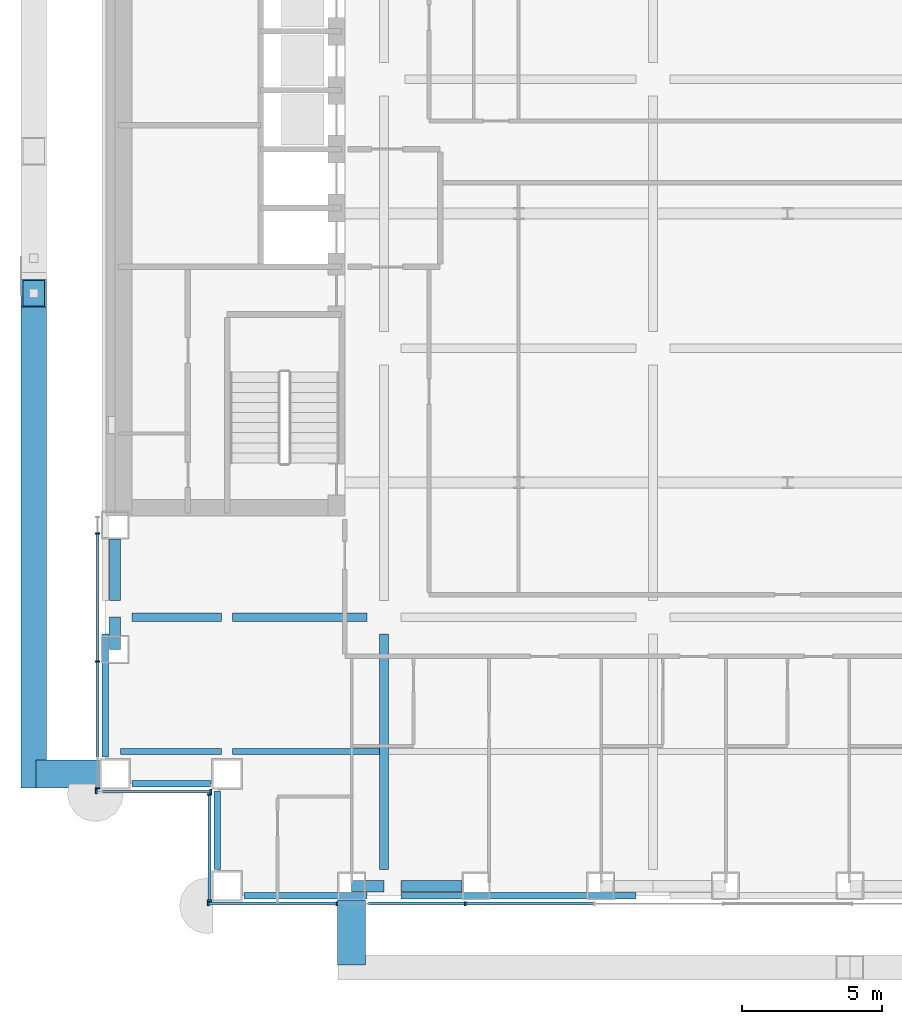
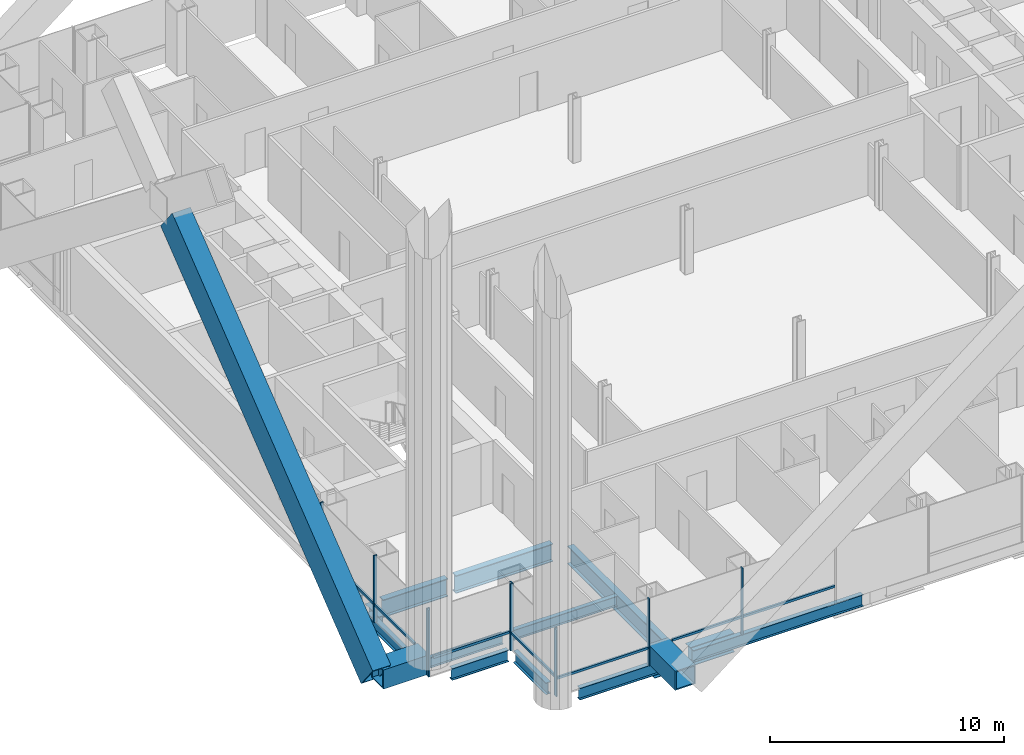
# One storey, part 2 of 28: 18 members, 16 beams, 4 elements without a shape of their own.
"""IFC4 building model written with IfcOpenShell, lengths in metres."""

from ifc_helpers import new_model, si_unit, direction, frame, origin, origin_2d, place, context, subcontext, project, spatial, rectangle, hollow_rectangle, i_section, extrude, material, material_profile, profile_set, type_object, element, aggregate, save


model = new_model("IFC4")

# Units and contexts
model_context = context("Model", 3, precision=1e-05, world=origin(), true_north=direction((0.0, 1.0)))
body_context = subcontext(model_context, "Body", "Model", "MODEL_VIEW")
ifc_project = project(units=[si_unit("LENGTHUNIT", "METRE"), si_unit("AREAUNIT", "SQUARE_METRE"), si_unit("VOLUMEUNIT", "CUBIC_METRE"), si_unit("PLANEANGLEUNIT", "RADIAN"), si_unit("MASSUNIT", "GRAM", prefix="KILO")], contexts=[model_context])

# Site, building, storey
site_placement = place(None, origin())
site = spatial("IfcSite", under=ifc_project, at=site_placement, CompositionType="ELEMENT")
building_placement = place(site_placement, origin())
building = spatial("IfcBuilding", under=site, at=building_placement, Name="Cobrizo Arcos Hotel Tower", CompositionType="ELEMENT")
storey_placement = place(building_placement, frame((0.0, 0.0, 39.0)))
storey = spatial("IfcBuildingStorey", under=building, at=storey_placement, Name="L07", CompositionType="ELEMENT", Elevation=39.0)

# Beams
ifc_material_1 = material(Name="Steel ASTM A572 Grade 50", Category="steel")
ifc_material_profile_1 = material_profile(ifc_material_1, hollow_rectangle(XDim=1.0, YDim=1.0, WallThickness=0.06005859375, at=origin_2d()), Name="BOX 1000X1000X60")
ifc_profile_set_1 = profile_set([ifc_material_profile_1], Name="Steel ASTM A572 Grade 50")
beam_type_1 = type_object("IfcBeamType", Name="BOX 1000X1000X60 brace connector strut", PredefinedType="BEAM", material=ifc_profile_set_1)
beam_1_placement = place(storey_placement, frame((-15.5556640625, -24.489990234375, 0.5), z_axis=(0.0, -1.0, 0.0), x_axis=(1.0, 0.0, 0.0)))
element("IfcBeam", 1, at=beam_1_placement, inside=storey, type_object=beam_type_1, Name="Perimeter brace stub BS1, zone Z1, south face, offset -15.56 m, L07", PredefinedType="BEAM", context=body_context, shape_type="SweptSolid", body=[
    extrude(hollow_rectangle(XDim=1.0, YDim=1.0, WallThickness=0.06005859375, at=origin_2d()), origin(), (0.0, 0.0, 1.0), 2.330078125),
])
beam_2_placement = place(storey_placement, frame((-24.5400390625, -20.0, 0.5), z_axis=(-1.0, 0.0, 0.0), x_axis=(0.0, -1.0, 0.0)))
element("IfcBeam", 2, at=beam_2_placement, inside=storey, type_object=beam_type_1, Name="Perimeter brace stub BS1, zone Z1, west face, offset -20.00 m, L07", PredefinedType="BEAM", context=body_context, shape_type="SweptSolid", body=[
    extrude(hollow_rectangle(XDim=1.0, YDim=1.0, WallThickness=0.06005859375, at=origin_2d()), origin(), (0.0, 0.0, 1.0), 2.280029296875),
])

# Member
ifc_material_profile_2 = material_profile(ifc_material_1, hollow_rectangle(XDim=0.89990234375, YDim=1.60009765625, WallThickness=0.070068359375, at=origin_2d()), Name="BOX 900X1600X70")
ifc_profile_set_2 = profile_set([ifc_material_profile_2], Name="Steel ASTM A572 Grade 50")
member_type_1 = type_object("IfcMemberType", Name="BOX 900X1600X70 perimeter brace", PredefinedType="BRACE", material=ifc_profile_set_2)
member_1_placement = place(storey_placement, frame((-26.89990234375, -20.0, 0.5), z_axis=(0.0, 0.785633461499, 0.618692220876), x_axis=(-1.0, 0.0, 0.0)))
element("IfcMember", 3, at=member_1_placement, inside=storey, type_object=member_type_1, Name="Perimeter brace PBR1, zone Z1, west face, no. 01", PredefinedType="BRACE", context=body_context, shape_type="SweptSolid", body=[
    extrude(hollow_rectangle(XDim=0.89990234375, YDim=1.60009765625, WallThickness=0.070068359375, at=origin_2d()), origin(), (0.0, 0.0, 1.0), 21.835693359375),
])

# Curtain wall, members
ifc_material_2 = material(Name="Aluminium 6063-T6 anodised bronze", Category="aluminium")
curtain_wall_type = type_object("IfcCurtainWallType", Name="CW-A guest facade", PredefinedType="NOTDEFINED", material=ifc_material_2)
curtain_wall_1_placement = place(storey_placement, origin())
curtain_wall_1 = element("IfcCurtainWall", 4, at=curtain_wall_1_placement, inside=storey, type_object=curtain_wall_type, Name="CW-A L07 S face", PredefinedType="NOTDEFINED")
ifc_material_profile_3 = material_profile(ifc_material_2, rectangle(XDim=0.14990234375, YDim=0.06005859375, at=origin_2d()), Name="CW-A mullion 150x60")
ifc_profile_set_3 = profile_set([ifc_material_profile_3], Name="Aluminium 6063-T6 anodised bronze")
member_type_2 = type_object("IfcMemberType", Name="CW-A mullion 150x60", PredefinedType="MULLION", material=ifc_profile_set_3)
member_2_placement = place(storey_placement, frame((-20.669921875, -24.625, 0.0), z_axis=(0.0, 0.0, 1.0), x_axis=(0.0, -1.0, 0.0)))
member_2 = element("IfcMember", 5, at=member_2_placement, type_object=member_type_2, Name="CW-A mullion 1", PredefinedType="MULLION", context=body_context, shape_type="SweptSolid", body=[
    extrude(rectangle(XDim=0.14990234375, YDim=0.06005859375, at=origin_2d()), origin(), (0.0, 0.0, 1.0), 3.5),
])
member_3_placement = place(storey_placement, frame((-16.10009765625, -24.625, 0.0), z_axis=(0.0, 0.0, 1.0), x_axis=(0.0, -1.0, 0.0)))
member_3 = element("IfcMember", 6, at=member_3_placement, type_object=member_type_2, Name="CW-A mullion 2", PredefinedType="MULLION", context=body_context, shape_type="SweptSolid", body=[
    extrude(rectangle(XDim=0.14990234375, YDim=0.06005859375, at=origin_2d()), origin(), (0.0, 0.0, 1.0), 3.5),
])
member_4_placement = place(storey_placement, frame((-11.5, -24.625, 0.0), z_axis=(0.0, 0.0, 1.0), x_axis=(0.0, -1.0, 0.0)))
member_4 = element("IfcMember", 7, at=member_4_placement, type_object=member_type_2, Name="CW-A mullion 3", PredefinedType="MULLION", context=body_context, shape_type="SweptSolid", body=[
    extrude(rectangle(XDim=0.14990234375, YDim=0.06005859375, at=origin_2d()), origin(), (0.0, 0.0, 1.0), 3.5),
])

curtain_wall_2_placement = place(storey_placement, origin())
curtain_wall_2 = element("IfcCurtainWall", 8, at=curtain_wall_2_placement, inside=storey, type_object=curtain_wall_type, Name="CW-A L07 W face", PredefinedType="NOTDEFINED")
member_5_placement = place(storey_placement, frame((-24.625, -11.416748046875, 0.0), z_axis=(0.0, 0.0, 1.0), x_axis=(-1.0, 0.0, 0.0)))
member_5 = element("IfcMember", 9, at=member_5_placement, type_object=member_type_2, Name="CW-A mullion 2", PredefinedType="MULLION", context=body_context, shape_type="SweptSolid", body=[
    extrude(rectangle(XDim=0.14990234375, YDim=0.06005859375, at=origin_2d()), origin(), (0.0, 0.0, 1.0), 3.5),
])
member_6_placement = place(storey_placement, frame((-24.625, -15.9833984375, 0.0), z_axis=(0.0, 0.0, 1.0), x_axis=(-1.0, 0.0, 0.0)))
member_6 = element("IfcMember", 10, at=member_6_placement, type_object=member_type_2, Name="CW-A mullion 3", PredefinedType="MULLION", context=body_context, shape_type="SweptSolid", body=[
    extrude(rectangle(XDim=0.14990234375, YDim=0.06005859375, at=origin_2d()), origin(), (0.0, 0.0, 1.0), 3.5),
])
member_7_placement = place(storey_placement, frame((-24.625, -20.52001953125, 0.0), z_axis=(0.0, 0.0, 1.0), x_axis=(-1.0, 0.0, 0.0)))
member_7 = element("IfcMember", 11, at=member_7_placement, type_object=member_type_2, Name="CW-A mullion 4", PredefinedType="MULLION", context=body_context, shape_type="SweptSolid", body=[
    extrude(rectangle(XDim=0.14990234375, YDim=0.06005859375, at=origin_2d()), origin(), (0.0, 0.0, 1.0), 3.5),
])

curtain_wall_3_placement = place(storey_placement, origin())
curtain_wall_3 = element("IfcCurtainWall", 12, at=curtain_wall_3_placement, inside=storey, type_object=curtain_wall_type, Name="CW-A L07 S face", PredefinedType="NOTDEFINED")
member_8_placement = place(storey_placement, frame((-24.669921875, -20.625, 0.0), z_axis=(0.0, 0.0, 1.0), x_axis=(0.0, -1.0, 0.0)))
member_8 = element("IfcMember", 13, at=member_8_placement, type_object=member_type_2, Name="CW-A mullion 1", PredefinedType="MULLION", context=body_context, shape_type="SweptSolid", body=[
    extrude(rectangle(XDim=0.14990234375, YDim=0.06005859375, at=origin_2d()), origin(), (0.0, 0.0, 1.0), 3.5),
])
member_9_placement = place(storey_placement, frame((-20.580078125, -20.625, 0.0), z_axis=(0.0, 0.0, 1.0), x_axis=(0.0, -1.0, 0.0)))
member_9 = element("IfcMember", 14, at=member_9_placement, type_object=member_type_2, Name="CW-A mullion 2", PredefinedType="MULLION", context=body_context, shape_type="SweptSolid", body=[
    extrude(rectangle(XDim=0.14990234375, YDim=0.06005859375, at=origin_2d()), origin(), (0.0, 0.0, 1.0), 3.5),
])

curtain_wall_4_placement = place(storey_placement, origin())
curtain_wall_4 = element("IfcCurtainWall", 15, at=curtain_wall_4_placement, inside=storey, type_object=curtain_wall_type, Name="CW-A L07 W face", PredefinedType="NOTDEFINED")
member_10_placement = place(storey_placement, frame((-20.625, -20.72998046875, 0.0), z_axis=(0.0, 0.0, 1.0), x_axis=(-1.0, 0.0, 0.0)))
member_10 = element("IfcMember", 16, at=member_10_placement, type_object=member_type_2, Name="CW-A mullion 1", PredefinedType="MULLION", context=body_context, shape_type="SweptSolid", body=[
    extrude(rectangle(XDim=0.14990234375, YDim=0.06005859375, at=origin_2d()), origin(), (0.0, 0.0, 1.0), 3.5),
])
member_11_placement = place(storey_placement, frame((-20.625, -24.52001953125, 0.0), z_axis=(0.0, 0.0, 1.0), x_axis=(-1.0, 0.0, 0.0)))
member_11 = element("IfcMember", 17, at=member_11_placement, type_object=member_type_2, Name="CW-A mullion 2", PredefinedType="MULLION", context=body_context, shape_type="SweptSolid", body=[
    extrude(rectangle(XDim=0.14990234375, YDim=0.06005859375, at=origin_2d()), origin(), (0.0, 0.0, 1.0), 3.5),
])

# Member
ifc_material_profile_4 = material_profile(ifc_material_2, rectangle(XDim=0.10009765625, YDim=0.1201171875, at=origin_2d()), Name="CW-A transom 120x100")
ifc_profile_set_4 = profile_set([ifc_material_profile_4], Name="Aluminium 6063-T6 anodised bronze")
member_type_3 = type_object("IfcMemberType", Name="CW-A transom 120x100", PredefinedType="USERDEFINED", material=ifc_profile_set_4)
member_12_placement = place(storey_placement, frame((-20.639892578125, -24.625, 0.929931640625), z_axis=(1.0, 0.0, 0.0), x_axis=(0.0, 1.0, 0.0)))
member_12 = element("IfcMember", 18, at=member_12_placement, type_object=member_type_3, Name="CW-A transom 361", ObjectType="TRANSOM", PredefinedType="USERDEFINED", context=body_context, shape_type="SweptSolid", body=[
    extrude(rectangle(XDim=0.10009765625, YDim=0.1201171875, at=origin_2d()), origin(), (0.0, 0.0, 1.0), 4.484375),
])

member_13_placement = place(storey_placement, frame((-14.95556640625, -24.625, 0.929931640625), z_axis=(1.0, 0.0, 0.0), x_axis=(0.0, 1.0, 0.0)))
member_13 = element("IfcMember", 19, at=member_13_placement, type_object=member_type_3, Name="CW-A transom 362", ObjectType="TRANSOM", PredefinedType="USERDEFINED", context=body_context, shape_type="SweptSolid", body=[
    extrude(rectangle(XDim=0.10009765625, YDim=0.1201171875, at=origin_2d()), origin(), (0.0, 0.0, 1.0), 3.425537109375),
])

member_14_placement = place(storey_placement, frame((-11.469970703125, -24.625, 0.929931640625), z_axis=(1.0, 0.0, 0.0), x_axis=(0.0, 1.0, 0.0)))
member_14 = element("IfcMember", 20, at=member_14_placement, type_object=member_type_3, Name="CW-A transom 363", ObjectType="TRANSOM", PredefinedType="USERDEFINED", context=body_context, shape_type="SweptSolid", body=[
    extrude(rectangle(XDim=0.10009765625, YDim=0.1201171875, at=origin_2d()), origin(), (0.0, 0.0, 1.0), 4.5400390625),
])

aggregate(curtain_wall_1, [member_2, member_3, member_4, member_12, member_13, member_14])

member_15_placement = place(storey_placement, frame((-24.625, -11.44677734375, 0.929931640625), z_axis=(0.0, -1.0, 0.0), x_axis=(1.0, 0.0, 0.0)))
member_15 = element("IfcMember", 21, at=member_15_placement, type_object=member_type_3, Name="CW-A transom 395", ObjectType="TRANSOM", PredefinedType="USERDEFINED", context=body_context, shape_type="SweptSolid", body=[
    extrude(rectangle(XDim=0.10009765625, YDim=0.1201171875, at=origin_2d()), origin(), (0.0, 0.0, 1.0), 4.506591796875),
])

member_16_placement = place(storey_placement, frame((-24.625, -16.013427734375, 0.929931640625), z_axis=(0.0, -1.0, 0.0), x_axis=(1.0, 0.0, 0.0)))
member_16 = element("IfcMember", 22, at=member_16_placement, type_object=member_type_3, Name="CW-A transom 396", ObjectType="TRANSOM", PredefinedType="USERDEFINED", context=body_context, shape_type="SweptSolid", body=[
    extrude(rectangle(XDim=0.10009765625, YDim=0.1201171875, at=origin_2d()), origin(), (0.0, 0.0, 1.0), 3.386474609375),
])

aggregate(curtain_wall_2, [member_5, member_6, member_7, member_15, member_16])

member_17_placement = place(storey_placement, frame((-24.43994140625, -20.625, 0.929931640625), z_axis=(1.0, 0.0, 0.0), x_axis=(0.0, 1.0, 0.0)))
member_17 = element("IfcMember", 23, at=member_17_placement, type_object=member_type_3, Name="CW-A transom 397", ObjectType="TRANSOM", PredefinedType="USERDEFINED", context=body_context, shape_type="SweptSolid", body=[
    extrude(rectangle(XDim=0.10009765625, YDim=0.1201171875, at=origin_2d()), origin(), (0.0, 0.0, 1.0), 3.829833984375),
])

aggregate(curtain_wall_3, [member_8, member_9, member_17])

member_18_placement = place(storey_placement, frame((-20.625, -20.760009765625, 0.929931640625), z_axis=(0.0, -1.0, 0.0), x_axis=(1.0, 0.0, 0.0)))
member_18 = element("IfcMember", 24, at=member_18_placement, type_object=member_type_3, Name="CW-A transom 398", ObjectType="TRANSOM", PredefinedType="USERDEFINED", context=body_context, shape_type="SweptSolid", body=[
    extrude(rectangle(XDim=0.10009765625, YDim=0.1201171875, at=origin_2d()), origin(), (0.0, 0.0, 1.0), 3.72998046875),
])

aggregate(curtain_wall_4, [member_10, member_11, member_18])

# Beams
ifc_material_3 = material(Name="Steel ASTM A992 Grade 50", Category="steel")
ifc_material_profile_5 = material_profile(ifc_material_3, i_section(OverallWidth=0.209228515625, OverallDepth=0.533447265625, WebThickness=0.01025390625, FlangeThickness=0.015625, at=origin_2d()), Name="W21X62")
ifc_profile_set_5 = profile_set([ifc_material_profile_5], Name="Steel ASTM A992 Grade 50")
beam_type_2 = type_object("IfcBeamType", Name="W21X62 joist", PredefinedType="JOIST", material=ifc_profile_set_5)
beam_3_placement = place(storey_placement, frame((-23.799560546875, -19.199951171875, -0.416748046875), z_axis=(1.0, 0.0, 0.0), x_axis=(0.0, 1.0, 0.0)))
element("IfcBeam", 25, at=beam_3_placement, inside=storey, type_object=beam_type_2, Name="Floor joist J1, L07, no. 001", PredefinedType="JOIST", context=body_context, shape_type="SweptSolid", body=[
    extrude(i_section(OverallWidth=0.209228515625, OverallDepth=0.533447265625, WebThickness=0.01025390625, FlangeThickness=0.015625, at=origin_2d()), origin(), (0.0, 0.0, 1.0), 3.59912109375),
])
beam_4_placement = place(storey_placement, frame((-19.799560546875, -19.199951171875, -0.416748046875), z_axis=(1.0, 0.0, 0.0), x_axis=(0.0, 1.0, 0.0)))
element("IfcBeam", 26, at=beam_4_placement, inside=storey, type_object=beam_type_2, Name="Floor joist J1, L07, no. 002", PredefinedType="JOIST", context=body_context, shape_type="SweptSolid", body=[
    extrude(i_section(OverallWidth=0.209228515625, OverallDepth=0.533447265625, WebThickness=0.01025390625, FlangeThickness=0.015625, at=origin_2d()), origin(), (0.0, 0.0, 1.0), 5.245849609375),
])
ifc_material_profile_6 = material_profile(ifc_material_3, i_section(OverallWidth=0.23046875, OverallDepth=0.6171875, WebThickness=0.01318359375, FlangeThickness=0.022216796875, at=origin_2d()), Name="W24X94")
ifc_profile_set_6 = profile_set([ifc_material_profile_6], Name="Steel ASTM A992 Grade 50")
beam_type_3 = type_object("IfcBeamType", Name="W24X94 spandrel", PredefinedType="SPANDREL", material=ifc_profile_set_6)
beam_5_placement = place(storey_placement, frame((-24.35009765625, -19.39990234375, -0.45849609375), z_axis=(0.0, 1.0, 0.0), x_axis=(-1.0, 0.0, 0.0)))
element("IfcBeam", 27, at=beam_5_placement, inside=storey, type_object=beam_type_3, Name="Spandrel beam W24X94, L07, no. 001", PredefinedType="SPANDREL", context=body_context, shape_type="SweptSolid", body=[
    extrude(i_section(OverallWidth=0.23046875, OverallDepth=0.6171875, WebThickness=0.01318359375, FlangeThickness=0.022216796875, at=origin_2d()), origin(), (0.0, 0.0, 1.0), 4.39990234375),
])
beam_6_placement = place(storey_placement, frame((-5.39990234375, -24.35009765625, -0.45849609375), z_axis=(-1.0, 0.0, 0.0), x_axis=(0.0, -1.0, 0.0)))
element("IfcBeam", 28, at=beam_6_placement, inside=storey, type_object=beam_type_3, Name="Spandrel beam W24X94, L07, no. 021", PredefinedType="SPANDREL", context=body_context, shape_type="SweptSolid", body=[
    extrude(i_section(OverallWidth=0.23046875, OverallDepth=0.6171875, WebThickness=0.01318359375, FlangeThickness=0.022216796875, at=origin_2d()), origin(), (0.0, 0.0, 1.0), 8.400146484375),
])
beam_7_placement = place(storey_placement, frame((-15.0, -24.35009765625, -0.45849609375), z_axis=(-1.0, 0.0, 0.0), x_axis=(0.0, -1.0, 0.0)))
element("IfcBeam", 29, at=beam_7_placement, inside=storey, type_object=beam_type_3, Name="Spandrel beam W24X94, L07, no. 022", PredefinedType="SPANDREL", context=body_context, shape_type="SweptSolid", body=[
    extrude(i_section(OverallWidth=0.23046875, OverallDepth=0.6171875, WebThickness=0.01318359375, FlangeThickness=0.022216796875, at=origin_2d()), origin(), (0.0, 0.0, 1.0), 4.39990234375),
])
for number, where, z_axis, x_axis, name in (
    (30, (-20.35009765625, -23.39990234375, -0.45849609375), (0.0, 1.0, 0.0), (-1.0, 0.0, 0.0), "Spandrel beam W24X94, L07, no. 023"),
    (31, (-20.60009765625, -20.35009765625, -0.45849609375), (-1.0, 0.0, 0.0), (0.0, -1.0, 0.0), "Spandrel beam W24X94, L07, no. 024"),
):
    element("IfcBeam", number, at=place(storey_placement, frame(where, z_axis=z_axis, x_axis=x_axis)), inside=storey, type_object=beam_type_3, Name=name, PredefinedType="SPANDREL", context=body_context, shape_type="SweptSolid", body=[
        extrude(i_section(OverallWidth=0.23046875, OverallDepth=0.6171875, WebThickness=0.01318359375, FlangeThickness=0.022216796875, at=origin_2d()), origin(), (0.0, 0.0, 1.0), 2.7998046875),
    ])
ifc_material_profile_7 = material_profile(ifc_material_3, i_section(OverallWidth=0.307373046875, OverallDepth=0.927001953125, WebThickness=0.01953125, FlangeThickness=0.031982421875, at=origin_2d()), Name="W36X194")
ifc_profile_set_7 = profile_set([ifc_material_profile_7], Name="Steel ASTM A992 Grade 50")
beam_type_4 = type_object("IfcBeamType", Name="W36X194 podium girder", PredefinedType="BEAM", material=ifc_profile_set_7)
beam_8_placement = place(storey_placement, frame((-23.39990234375, -14.39990234375, -0.613525390625), z_axis=(1.0, 0.0, 0.0), x_axis=(0.0, 1.0, 0.0)))
element("IfcBeam", 32, at=beam_8_placement, inside=storey, type_object=beam_type_4, Name="Podium girder PG1, L07, no. 001", PredefinedType="BEAM", context=body_context, shape_type="SweptSolid", body=[
    extrude(i_section(OverallWidth=0.307373046875, OverallDepth=0.927001953125, WebThickness=0.01953125, FlangeThickness=0.031982421875, at=origin_2d()), origin(), (0.0, 0.0, 1.0), 3.199462890625),
])
beam_9_placement = place(storey_placement, frame((-19.799560546875, -14.39990234375, -0.613525390625), z_axis=(1.0, 0.0, 0.0), x_axis=(0.0, 1.0, 0.0)))
element("IfcBeam", 33, at=beam_9_placement, inside=storey, type_object=beam_type_4, Name="Podium girder PG1, L07, no. 002", PredefinedType="BEAM", context=body_context, shape_type="SweptSolid", body=[
    extrude(i_section(OverallWidth=0.307373046875, OverallDepth=0.927001953125, WebThickness=0.01953125, FlangeThickness=0.031982421875, at=origin_2d()), origin(), (0.0, 0.0, 1.0), 4.799560546875),
])
beam_10_placement = place(storey_placement, frame((-14.39990234375, -23.39990234375, -0.613525390625), z_axis=(0.0, 1.0, 0.0), x_axis=(-1.0, 0.0, 0.0)))
element("IfcBeam", 34, at=beam_10_placement, inside=storey, type_object=beam_type_4, Name="Podium girder PG1, L07, no. 023", PredefinedType="BEAM", context=body_context, shape_type="SweptSolid", body=[
    extrude(i_section(OverallWidth=0.307373046875, OverallDepth=0.927001953125, WebThickness=0.01953125, FlangeThickness=0.031982421875, at=origin_2d()), origin(), (0.0, 0.0, 1.0), 8.39990234375),
])
ifc_material_profile_8 = material_profile(ifc_material_3, i_section(OverallWidth=0.4013671875, OverallDepth=0.990478515625, WebThickness=0.0166015625, FlangeThickness=0.025390625, at=origin_2d()), Name="W40X215")
ifc_profile_set_8 = profile_set([ifc_material_profile_8], Name="Steel ASTM A992 Grade 50")
beam_type_5 = type_object("IfcBeamType", Name="W40X215 transfer girder", PredefinedType="BEAM", material=ifc_profile_set_8)
beam_11_placement = place(storey_placement, frame((-14.39990234375, -24.0, -0.645263671875), z_axis=(-1.0, 0.0, 0.0), x_axis=(0.0, -1.0, 0.0)))
element("IfcBeam", 35, at=beam_11_placement, inside=storey, type_object=beam_type_5, Name="Setback transfer girder TG1, L07, no. 002", PredefinedType="BEAM", context=body_context, shape_type="SweptSolid", body=[
    extrude(i_section(OverallWidth=0.4013671875, OverallDepth=0.990478515625, WebThickness=0.0166015625, FlangeThickness=0.025390625, at=origin_2d()), origin(), (0.0, 0.0, 1.0), 1.156005859375),
])
beam_12_placement = place(storey_placement, frame((-13.800048828125, -24.0, -0.645263671875), z_axis=(1.0, 0.0, 0.0), x_axis=(0.0, 1.0, 0.0)))
element("IfcBeam", 36, at=beam_12_placement, inside=storey, type_object=beam_type_5, Name="Setback transfer girder TG1, L07, no. 004", PredefinedType="BEAM", context=body_context, shape_type="SweptSolid", body=[
    extrude(i_section(OverallWidth=0.4013671875, OverallDepth=0.990478515625, WebThickness=0.0166015625, FlangeThickness=0.025390625, at=origin_2d()), origin(), (0.0, 0.0, 1.0), 2.18896484375),
])
beam_13_placement = place(storey_placement, frame((-24.0, -14.39990234375, -0.645263671875), z_axis=(0.0, -1.0, 0.0), x_axis=(1.0, 0.0, 0.0)))
element("IfcBeam", 37, at=beam_13_placement, inside=storey, type_object=beam_type_5, Name="Setback transfer girder TG1, L07, no. 018", PredefinedType="BEAM", context=body_context, shape_type="SweptSolid", body=[
    extrude(i_section(OverallWidth=0.4013671875, OverallDepth=0.990478515625, WebThickness=0.0166015625, FlangeThickness=0.025390625, at=origin_2d()), origin(), (0.0, 0.0, 1.0), 1.156005859375),
])
beam_14_placement = place(storey_placement, frame((-24.0, -13.800048828125, -0.645263671875), z_axis=(0.0, 1.0, 0.0), x_axis=(-1.0, 0.0, 0.0)))
element("IfcBeam", 38, at=beam_14_placement, inside=storey, type_object=beam_type_5, Name="Setback transfer girder TG1, L07, no. 020", PredefinedType="BEAM", context=body_context, shape_type="SweptSolid", body=[
    extrude(i_section(OverallWidth=0.4013671875, OverallDepth=0.990478515625, WebThickness=0.0166015625, FlangeThickness=0.025390625, at=origin_2d()), origin(), (0.0, 0.0, 1.0), 2.18896484375),
])

save(model, "model.ifc")
